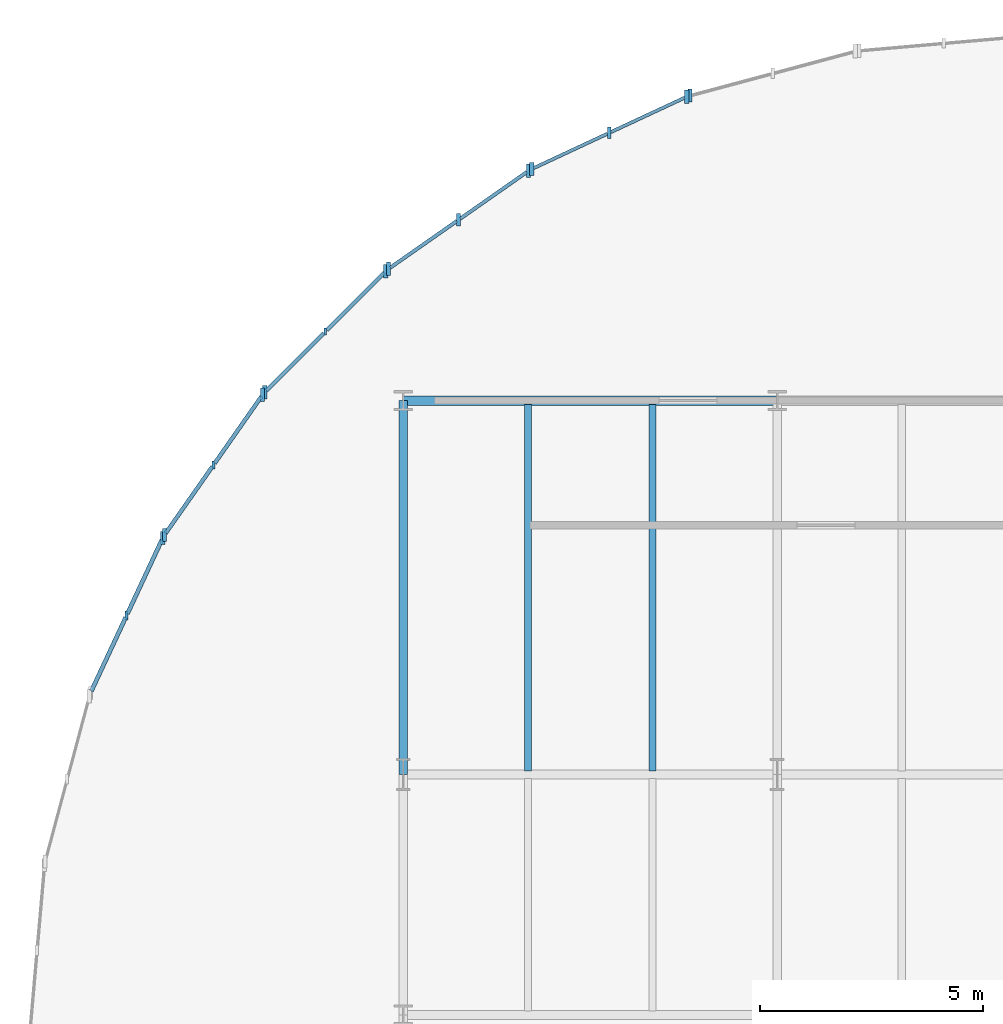
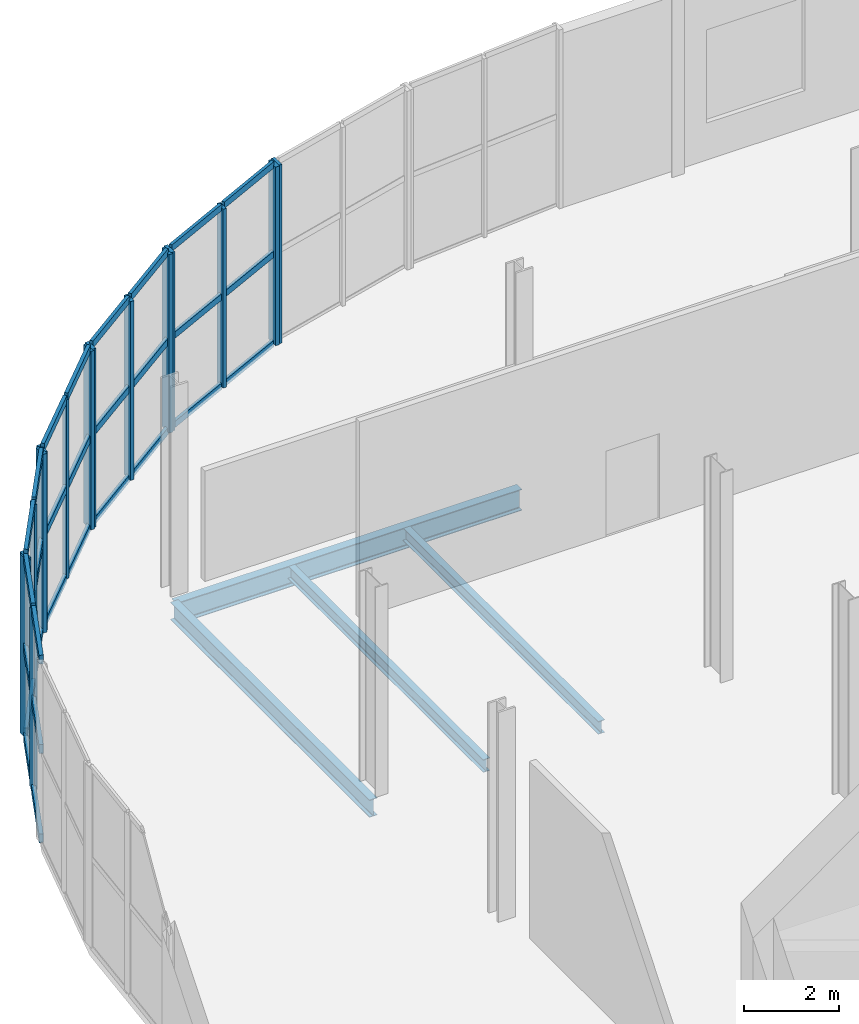
# One storey, part 27 of 78: 45 members, 4 beams, 6 elements without a shape of their own.
"""IFC4 building model written with IfcOpenShell, lengths in metres."""

from ifc_helpers import new_model, si_unit, direction, frame, origin, origin_2d, place, context, subcontext, project, spatial, rectangle, i_section, extrude, material, layer, layer_set, material_profile, profile_set, type_object, element, aggregate, save


model = new_model("IFC4")

# Units and contexts
model_context = context("Model", 3, precision=1e-05, world=origin(), true_north=direction((0.0, 1.0)))
body_context = subcontext(model_context, "Body", "Model", "MODEL_VIEW")
ifc_project = project(units=[si_unit("LENGTHUNIT", "METRE"), si_unit("AREAUNIT", "SQUARE_METRE"), si_unit("VOLUMEUNIT", "CUBIC_METRE"), si_unit("PLANEANGLEUNIT", "RADIAN"), si_unit("MASSUNIT", "GRAM", prefix="KILO")], contexts=[model_context])

# Site, building, storey
site_placement = place(None, origin())
site = spatial("IfcSite", under=ifc_project, at=site_placement, CompositionType="ELEMENT")
building_placement = place(site_placement, origin())
building = spatial("IfcBuilding", under=site, at=building_placement, Name="Sefraquen Railside Congress Hotel", CompositionType="ELEMENT")
storey_placement = place(building_placement, frame((0.0, 0.0, 6.0)))
storey = spatial("IfcBuildingStorey", under=building, at=storey_placement, Name="L01", CompositionType="ELEMENT", Elevation=6.0)

# Beams
ifc_material_1 = material(Name="Steel S355JR", Category="steel")
ifc_material_profile_1 = material_profile(ifc_material_1, i_section(OverallWidth=0.18994140625, OverallDepth=0.449951171875, WebThickness=0.009521484375, FlangeThickness=0.0146484375, FilletRadius=0.02099609375, at=origin_2d()), Name="IPE 450")
ifc_profile_set_1 = profile_set([ifc_material_profile_1], Name="Steel S355JR")
beam_type_1 = type_object("IfcBeamType", Name="TB-BM-450", PredefinedType="BEAM", material=ifc_profile_set_1)
beam_1_placement = place(storey_placement, frame((8.39990234375, 101.39990234375, -0.52490234375), z_axis=(0.0, 1.0, 0.0), x_axis=(-1.0, 0.0, 0.0)))
element("IfcBeam", 1, at=beam_1_placement, inside=storey, type_object=beam_type_1, Name="Floor beam BM-L01-0515", PredefinedType="BEAM", context=body_context, shape_type="SweptSolid", body=[
    extrude(i_section(OverallWidth=0.18994140625, OverallDepth=0.449951171875, WebThickness=0.009521484375, FlangeThickness=0.0146484375, FilletRadius=0.02099609375, at=origin_2d()), origin(), (0.0, 0.0, 1.0), 8.400146484375),
])
ifc_material_profile_2 = material_profile(ifc_material_1, i_section(OverallWidth=0.2099609375, OverallDepth=0.550048828125, WebThickness=0.010986328125, FlangeThickness=0.01708984375, FilletRadius=0.02392578125, at=origin_2d()), Name="IPE 550")
ifc_profile_set_2 = profile_set([ifc_material_profile_2], Name="Steel S355JR")
beam_type_2 = type_object("IfcBeamType", Name="TB-GIR-550", PredefinedType="T_BEAM", material=ifc_profile_set_2)
beam_2_placement = place(storey_placement, frame((8.39990234375, 109.800048828125, -0.574951171875), z_axis=(1.0, 0.0, 0.0), x_axis=(0.0, 1.0, 0.0)))
element("IfcBeam", 2, at=beam_2_placement, inside=storey, type_object=beam_type_2, Name="Primary girder BM-L01-0481", PredefinedType="T_BEAM", context=body_context, shape_type="SweptSolid", body=[
    extrude(i_section(OverallWidth=0.2099609375, OverallDepth=0.550048828125, WebThickness=0.010986328125, FlangeThickness=0.01708984375, FilletRadius=0.02392578125, at=origin_2d()), origin(), (0.0, 0.0, 1.0), 8.400146484375),
])
ifc_material_profile_3 = material_profile(ifc_material_1, i_section(OverallWidth=0.159912109375, OverallDepth=0.330078125, WebThickness=0.007568359375, FlangeThickness=0.011474609375, FilletRadius=0.01806640625, at=origin_2d()), Name="IPE 330")
ifc_profile_set_3 = profile_set([ifc_material_profile_3], Name="Steel S355JR")
beam_type_3 = type_object("IfcBeamType", Name="TB-JST-330", PredefinedType="JOIST", material=ifc_profile_set_3)
for number, where, z_axis, x_axis, name in (
    (3, (11.199951171875, 101.485107421875, -0.465087890625), (0.0, 1.0, 0.0), (-1.0, 0.0, 0.0), "Composite floor joist BM-L01-J0215"),
    (4, (14.0, 101.485107421875, -0.465087890625), (0.0, 1.0, 0.0), (-1.0, 0.0, 0.0), "Composite floor joist BM-L01-J0216"),
):
    element("IfcBeam", number, at=place(storey_placement, frame(where, z_axis=z_axis, x_axis=x_axis)), inside=storey, type_object=beam_type_3, Name=name, PredefinedType="JOIST", context=body_context, shape_type="SweptSolid", body=[
        extrude(i_section(OverallWidth=0.159912109375, OverallDepth=0.330078125, WebThickness=0.007568359375, FlangeThickness=0.011474609375, FilletRadius=0.01806640625, at=origin_2d()), origin(), (0.0, 0.0, 1.0), 8.22998046875),
    ])

# Curtain wall, member
ifc_material_2 = material(Name="Thermally broken anodised aluminium and low-E double glazing", Category="aluminium")
ifc_layer_1 = layer(ifc_material_2, 0.199951171875)
ifc_layer_set_1 = layer_set([ifc_layer_1], Name="Thermally broken anodised aluminium and low-E double glazing")
curtain_wall_type_1 = type_object("IfcCurtainWallType", Name="TCW-UCW-14", PredefinedType="USERDEFINED", material=ifc_layer_set_1)
curtain_wall_1_placement = place(storey_placement, origin())
curtain_wall_1 = element("IfcCurtainWall", 5, at=curtain_wall_1_placement, inside=storey, type_object=curtain_wall_type_1, Name="Rotunda L01 curved curtain wall facet 5", ObjectType="UNITISED CURTAIN WALL", PredefinedType="USERDEFINED")
ifc_material_3 = material(Name="Thermally broken anodised aluminium 6063-T6", Category="aluminium")
ifc_material_profile_4 = material_profile(ifc_material_3, rectangle(XDim=0.06005859375, YDim=0.159912109375, at=origin_2d()), Name="CWM 60x160")
ifc_profile_set_4 = profile_set([ifc_material_profile_4], Name="Thermally broken anodised aluminium 6063-T6")
member_type_1 = type_object("IfcMemberType", Name="TM-CWM-01", PredefinedType="MULLION", material=ifc_profile_set_4)
member_1_placement = place(storey_placement, frame((6.650634765625, 111.349365234375, 0.0), z_axis=(0.0, 0.0, 1.0), x_axis=(1.0, 0.0, 0.0)))
member_1 = element("IfcMember", 6, at=member_1_placement, type_object=member_type_1, Name="CW-L01-ROT-05 mullion 2", PredefinedType="MULLION", context=body_context, shape_type="SweptSolid", body=[
    extrude(rectangle(XDim=0.06005859375, YDim=0.159912109375, at=origin_2d()), origin(), (0.0, 0.0, 1.0), 4.60009765625),
])

ifc_layer_2 = layer(ifc_material_2, 0.199951171875)
ifc_layer_set_2 = layer_set([ifc_layer_2], Name="Thermally broken anodised aluminium and low-E double glazing")
curtain_wall_type_2 = type_object("IfcCurtainWallType", Name="TCW-UCW-15", PredefinedType="USERDEFINED", material=ifc_layer_set_2)
curtain_wall_2_placement = place(storey_placement, origin())
curtain_wall_2 = element("IfcCurtainWall", 7, at=curtain_wall_2_placement, inside=storey, type_object=curtain_wall_type_2, Name="Rotunda L01 curved curtain wall facet 6", ObjectType="UNITISED CURTAIN WALL", PredefinedType="USERDEFINED")
ifc_material_profile_5 = material_profile(ifc_material_3, rectangle(XDim=0.06494140625, YDim=0.179931640625, at=origin_2d()), Name="CWM 65x180")
ifc_profile_set_5 = profile_set([ifc_material_profile_5], Name="Thermally broken anodised aluminium 6063-T6")
member_type_2 = type_object("IfcMemberType", Name="TM-CWM-02", PredefinedType="MULLION", material=ifc_profile_set_5)
member_2_placement = place(storey_placement, frame((4.13916015625, 108.356201171875, 0.0), z_axis=(0.0, 0.0, 1.0), x_axis=(1.0, 0.0, 0.0)))
member_2 = element("IfcMember", 8, at=member_2_placement, type_object=member_type_2, Name="CW-L01-ROT-06 mullion 2", PredefinedType="MULLION", context=body_context, shape_type="SweptSolid", body=[
    extrude(rectangle(XDim=0.06494140625, YDim=0.179931640625, at=origin_2d()), origin(), (0.0, 0.0, 1.0), 4.60009765625),
])

ifc_layer_3 = layer(ifc_material_2, 0.199951171875)
ifc_layer_set_3 = layer_set([ifc_layer_3], Name="Thermally broken anodised aluminium and low-E double glazing")
curtain_wall_type_3 = type_object("IfcCurtainWallType", Name="TCW-UCW-16", PredefinedType="USERDEFINED", material=ifc_layer_set_3)
curtain_wall_3_placement = place(storey_placement, origin())
curtain_wall_3 = element("IfcCurtainWall", 9, at=curtain_wall_3_placement, inside=storey, type_object=curtain_wall_type_3, Name="Rotunda L01 curved curtain wall facet 7", ObjectType="UNITISED CURTAIN WALL", PredefinedType="USERDEFINED")
ifc_material_profile_6 = material_profile(ifc_material_3, rectangle(XDim=0.070068359375, YDim=0.199951171875, at=origin_2d()), Name="CWM 70x200")
ifc_profile_set_6 = profile_set([ifc_material_profile_6], Name="Thermally broken anodised aluminium 6063-T6")
member_type_3 = type_object("IfcMemberType", Name="TM-CWM-03", PredefinedType="MULLION", material=ifc_profile_set_6)
member_3_placement = place(storey_placement, frame((2.185546875, 104.972900390625, 0.0), z_axis=(0.0, 0.0, 1.0), x_axis=(1.0, 0.0, 0.0)))
member_3 = element("IfcMember", 10, at=member_3_placement, type_object=member_type_3, Name="CW-L01-ROT-07 mullion 2", PredefinedType="MULLION", context=body_context, shape_type="SweptSolid", body=[
    extrude(rectangle(XDim=0.070068359375, YDim=0.199951171875, at=origin_2d()), origin(), (0.0, 0.0, 1.0), 4.60009765625),
])

ifc_layer_4 = layer(ifc_material_2, 0.199951171875)
ifc_layer_set_4 = layer_set([ifc_layer_4], Name="Thermally broken anodised aluminium and low-E double glazing")
curtain_wall_type_4 = type_object("IfcCurtainWallType", Name="TCW-UCW-12", PredefinedType="USERDEFINED", material=ifc_layer_set_4)
curtain_wall_4_placement = place(storey_placement, origin())
curtain_wall_4 = element("IfcCurtainWall", 11, at=curtain_wall_4_placement, inside=storey, type_object=curtain_wall_type_4, Name="Rotunda L01 curved curtain wall facet 3", ObjectType="UNITISED CURTAIN WALL", PredefinedType="USERDEFINED")
ifc_material_profile_7 = material_profile(ifc_material_3, rectangle(XDim=0.0849609375, YDim=0.260009765625, at=origin_2d()), Name="CWM 85x260")
ifc_profile_set_7 = profile_set([ifc_material_profile_7], Name="Thermally broken anodised aluminium 6063-T6")
member_type_4 = type_object("IfcMemberType", Name="TM-CWM-06", PredefinedType="MULLION", material=ifc_profile_set_7)
member_4_placement = place(storey_placement, frame((13.02734375, 115.814208984375, 0.0), z_axis=(0.0, 0.0, 1.0), x_axis=(1.0, 0.0, 0.0)))
member_4 = element("IfcMember", 12, at=member_4_placement, type_object=member_type_4, Name="CW-L01-ROT-03 mullion 2", PredefinedType="MULLION", context=body_context, shape_type="SweptSolid", body=[
    extrude(rectangle(XDim=0.0849609375, YDim=0.260009765625, at=origin_2d()), origin(), (0.0, 0.0, 1.0), 4.60009765625),
])

ifc_layer_5 = layer(ifc_material_2, 0.199951171875)
ifc_layer_set_5 = layer_set([ifc_layer_5], Name="Thermally broken anodised aluminium and low-E double glazing")
curtain_wall_type_5 = type_object("IfcCurtainWallType", Name="TCW-UCW-13", PredefinedType="USERDEFINED", material=ifc_layer_set_5)
curtain_wall_5_placement = place(storey_placement, origin())
curtain_wall_5 = element("IfcCurtainWall", 13, at=curtain_wall_5_placement, inside=storey, type_object=curtain_wall_type_5, Name="Rotunda L01 curved curtain wall facet 4", ObjectType="UNITISED CURTAIN WALL", PredefinedType="USERDEFINED")
ifc_material_profile_8 = material_profile(ifc_material_3, rectangle(XDim=0.090087890625, YDim=0.280029296875, at=origin_2d()), Name="CWM 90x280")
ifc_profile_set_8 = profile_set([ifc_material_profile_8], Name="Thermally broken anodised aluminium 6063-T6")
member_type_5 = type_object("IfcMemberType", Name="TM-CWM-07", PredefinedType="MULLION", material=ifc_profile_set_8)
member_5_placement = place(storey_placement, frame((9.643798828125, 113.86083984375, 0.0), z_axis=(0.0, 0.0, 1.0), x_axis=(1.0, 0.0, 0.0)))
member_5 = element("IfcMember", 14, at=member_5_placement, type_object=member_type_5, Name="CW-L01-ROT-04 mullion 2", PredefinedType="MULLION", context=body_context, shape_type="SweptSolid", body=[
    extrude(rectangle(XDim=0.090087890625, YDim=0.280029296875, at=origin_2d()), origin(), (0.0, 0.0, 1.0), 4.60009765625),
])

ifc_layer_6 = layer(ifc_material_2, 0.199951171875)
ifc_layer_set_6 = layer_set([ifc_layer_6], Name="Thermally broken anodised aluminium and low-E double glazing")
curtain_wall_type_6 = type_object("IfcCurtainWallType", Name="TCW-UCW-11", PredefinedType="USERDEFINED", material=ifc_layer_set_6)
curtain_wall_6_placement = place(storey_placement, origin())
curtain_wall_6 = element("IfcCurtainWall", 15, at=curtain_wall_6_placement, inside=storey, type_object=curtain_wall_type_6, Name="Rotunda L01 curved curtain wall facet 2", ObjectType="UNITISED CURTAIN WALL", PredefinedType="USERDEFINED")
ifc_material_profile_9 = material_profile(ifc_material_3, rectangle(XDim=0.094970703125, YDim=0.300048828125, at=origin_2d()), Name="CWM 95x300")
ifc_profile_set_9 = profile_set([ifc_material_profile_9], Name="Thermally broken anodised aluminium 6063-T6")
member_type_6 = type_object("IfcMemberType", Name="TM-CWM-08", PredefinedType="MULLION", material=ifc_profile_set_9)
member_6_placement = place(storey_placement, frame((14.843017578125, 116.653564453125, 0.0), z_axis=(0.0, 0.0, 1.0), x_axis=(1.0, 0.0, 0.0)))
member_6 = element("IfcMember", 16, at=member_6_placement, type_object=member_type_6, Name="CW-L01-ROT-02 mullion 3", PredefinedType="MULLION", context=body_context, shape_type="SweptSolid", body=[
    extrude(rectangle(XDim=0.094970703125, YDim=0.300048828125, at=origin_2d()), origin(), (0.0, 0.0, 1.0), 4.60009765625),
])
aggregate(curtain_wall_6, [member_6])

# Member
member_7_placement = place(storey_placement, frame((14.768310546875, 116.626220703125, 0.0), z_axis=(0.0, 0.0, 1.0), x_axis=(1.0, 0.0, 0.0)))
member_7 = element("IfcMember", 17, at=member_7_placement, type_object=member_type_6, Name="CW-L01-ROT-03 mullion 1", PredefinedType="MULLION", context=body_context, shape_type="SweptSolid", body=[
    extrude(rectangle(XDim=0.094970703125, YDim=0.300048828125, at=origin_2d()), origin(), (0.0, 0.0, 1.0), 4.60009765625),
])

member_8_placement = place(storey_placement, frame((11.286376953125, 115.00244140625, 0.0), z_axis=(0.0, 0.0, 1.0), x_axis=(1.0, 0.0, 0.0)))
member_8 = element("IfcMember", 18, at=member_8_placement, type_object=member_type_6, Name="CW-L01-ROT-03 mullion 3", PredefinedType="MULLION", context=body_context, shape_type="SweptSolid", body=[
    extrude(rectangle(XDim=0.094970703125, YDim=0.300048828125, at=origin_2d()), origin(), (0.0, 0.0, 1.0), 4.60009765625),
])

member_9_placement = place(storey_placement, frame((11.21728515625, 114.962646484375, 0.0), z_axis=(0.0, 0.0, 1.0), x_axis=(1.0, 0.0, 0.0)))
member_9 = element("IfcMember", 19, at=member_9_placement, type_object=member_type_6, Name="CW-L01-ROT-04 mullion 1", PredefinedType="MULLION", context=body_context, shape_type="SweptSolid", body=[
    extrude(rectangle(XDim=0.094970703125, YDim=0.300048828125, at=origin_2d()), origin(), (0.0, 0.0, 1.0), 4.60009765625),
])

member_10_placement = place(storey_placement, frame((8.070068359375, 112.7587890625, 0.0), z_axis=(0.0, 0.0, 1.0), x_axis=(1.0, 0.0, 0.0)))
member_10 = element("IfcMember", 20, at=member_10_placement, type_object=member_type_6, Name="CW-L01-ROT-04 mullion 3", PredefinedType="MULLION", context=body_context, shape_type="SweptSolid", body=[
    extrude(rectangle(XDim=0.094970703125, YDim=0.300048828125, at=origin_2d()), origin(), (0.0, 0.0, 1.0), 4.60009765625),
])

member_11_placement = place(storey_placement, frame((8.009033203125, 112.707763671875, 0.0), z_axis=(0.0, 0.0, 1.0), x_axis=(1.0, 0.0, 0.0)))
member_11 = element("IfcMember", 21, at=member_11_placement, type_object=member_type_6, Name="CW-L01-ROT-05 mullion 1", PredefinedType="MULLION", context=body_context, shape_type="SweptSolid", body=[
    extrude(rectangle(XDim=0.094970703125, YDim=0.300048828125, at=origin_2d()), origin(), (0.0, 0.0, 1.0), 4.60009765625),
])

member_12_placement = place(storey_placement, frame((5.292236328125, 109.990966796875, 0.0), z_axis=(0.0, 0.0, 1.0), x_axis=(1.0, 0.0, 0.0)))
member_12 = element("IfcMember", 22, at=member_12_placement, type_object=member_type_6, Name="CW-L01-ROT-05 mullion 3", PredefinedType="MULLION", context=body_context, shape_type="SweptSolid", body=[
    extrude(rectangle(XDim=0.094970703125, YDim=0.300048828125, at=origin_2d()), origin(), (0.0, 0.0, 1.0), 4.60009765625),
])

member_13_placement = place(storey_placement, frame((5.2412109375, 109.929931640625, 0.0), z_axis=(0.0, 0.0, 1.0), x_axis=(1.0, 0.0, 0.0)))
member_13 = element("IfcMember", 23, at=member_13_placement, type_object=member_type_6, Name="CW-L01-ROT-06 mullion 1", PredefinedType="MULLION", context=body_context, shape_type="SweptSolid", body=[
    extrude(rectangle(XDim=0.094970703125, YDim=0.300048828125, at=origin_2d()), origin(), (0.0, 0.0, 1.0), 4.60009765625),
])

member_14_placement = place(storey_placement, frame((3.037353515625, 106.78271484375, 0.0), z_axis=(0.0, 0.0, 1.0), x_axis=(1.0, 0.0, 0.0)))
member_14 = element("IfcMember", 24, at=member_14_placement, type_object=member_type_6, Name="CW-L01-ROT-06 mullion 3", PredefinedType="MULLION", context=body_context, shape_type="SweptSolid", body=[
    extrude(rectangle(XDim=0.094970703125, YDim=0.300048828125, at=origin_2d()), origin(), (0.0, 0.0, 1.0), 4.60009765625),
])

member_15_placement = place(storey_placement, frame((2.99755859375, 106.713623046875, 0.0), z_axis=(0.0, 0.0, 1.0), x_axis=(1.0, 0.0, 0.0)))
member_15 = element("IfcMember", 25, at=member_15_placement, type_object=member_type_6, Name="CW-L01-ROT-07 mullion 1", PredefinedType="MULLION", context=body_context, shape_type="SweptSolid", body=[
    extrude(rectangle(XDim=0.094970703125, YDim=0.300048828125, at=origin_2d()), origin(), (0.0, 0.0, 1.0), 4.60009765625),
])

ifc_material_profile_10 = material_profile(ifc_material_3, rectangle(XDim=0.074951171875, YDim=0.1650390625, at=origin_2d()), Name="CWT 75x165")
ifc_profile_set_10 = profile_set([ifc_material_profile_10], Name="Thermally broken anodised aluminium 6063-T6")
member_type_7 = type_object("IfcMemberType", Name="TM-CWT-04", PredefinedType="USERDEFINED", material=ifc_profile_set_10)
member_16_placement = place(storey_placement, frame((14.727294921875, 116.607177734375, 0.0), z_axis=(-0.906309158253, -0.422615321145, 0.0), x_axis=(0.422615321145, -0.906309158253, 0.0)))
member_16 = element("IfcMember", 26, at=member_16_placement, type_object=member_type_7, Name="CW-L01-ROT-03 transom 1.1", ObjectType="TRANSOM", PredefinedType="USERDEFINED", context=body_context, shape_type="SweptSolid", body=[
    extrude(rectangle(XDim=0.074951171875, YDim=0.1650390625, at=origin_2d()), origin(), (0.0, 0.0, 1.0), 1.830810546875),
])

member_17_placement = place(storey_placement, frame((12.986572265625, 115.79541015625, 0.0), z_axis=(-0.906281900386, -0.422673771403, 0.0), x_axis=(0.422673771403, -0.906281900386, 0.0)))
member_17 = element("IfcMember", 27, at=member_17_placement, type_object=member_type_7, Name="CW-L01-ROT-03 transom 1.2", ObjectType="TRANSOM", PredefinedType="USERDEFINED", context=body_context, shape_type="SweptSolid", body=[
    extrude(rectangle(XDim=0.074951171875, YDim=0.1650390625, at=origin_2d()), origin(), (0.0, 0.0, 1.0), 1.8310546875),
])

member_18_placement = place(storey_placement, frame((14.727294921875, 116.607177734375, 2.300048828125), z_axis=(-0.906309158253, -0.422615321145, 0.0), x_axis=(0.422615321145, -0.906309158253, 0.0)))
member_18 = element("IfcMember", 28, at=member_18_placement, type_object=member_type_7, Name="CW-L01-ROT-03 transom 2.1", ObjectType="TRANSOM", PredefinedType="USERDEFINED", context=body_context, shape_type="SweptSolid", body=[
    extrude(rectangle(XDim=0.074951171875, YDim=0.1650390625, at=origin_2d()), origin(), (0.0, 0.0, 1.0), 1.830810546875),
])

member_19_placement = place(storey_placement, frame((12.986572265625, 115.79541015625, 2.300048828125), z_axis=(-0.906281900386, -0.422673771403, 0.0), x_axis=(0.422673771403, -0.906281900386, 0.0)))
member_19 = element("IfcMember", 29, at=member_19_placement, type_object=member_type_7, Name="CW-L01-ROT-03 transom 2.2", ObjectType="TRANSOM", PredefinedType="USERDEFINED", context=body_context, shape_type="SweptSolid", body=[
    extrude(rectangle(XDim=0.074951171875, YDim=0.1650390625, at=origin_2d()), origin(), (0.0, 0.0, 1.0), 1.8310546875),
])

member_20_placement = place(storey_placement, frame((14.727294921875, 116.607177734375, 4.60009765625), z_axis=(-0.906309158253, -0.422615321145, 0.0), x_axis=(0.422615321145, -0.906309158253, 0.0)))
member_20 = element("IfcMember", 30, at=member_20_placement, type_object=member_type_7, Name="CW-L01-ROT-03 transom 3.1", ObjectType="TRANSOM", PredefinedType="USERDEFINED", context=body_context, shape_type="SweptSolid", body=[
    extrude(rectangle(XDim=0.074951171875, YDim=0.1650390625, at=origin_2d()), origin(), (0.0, 0.0, 1.0), 1.830810546875),
])

member_21_placement = place(storey_placement, frame((12.986572265625, 115.79541015625, 4.60009765625), z_axis=(-0.906281900386, -0.422673771403, 0.0), x_axis=(0.422673771403, -0.906281900386, 0.0)))
member_21 = element("IfcMember", 31, at=member_21_placement, type_object=member_type_7, Name="CW-L01-ROT-03 transom 3.2", ObjectType="TRANSOM", PredefinedType="USERDEFINED", context=body_context, shape_type="SweptSolid", body=[
    extrude(rectangle(XDim=0.074951171875, YDim=0.1650390625, at=origin_2d()), origin(), (0.0, 0.0, 1.0), 1.8310546875),
])

aggregate(curtain_wall_4, [member_7, member_4, member_8, member_16, member_17, member_18, member_19, member_20, member_21])

ifc_material_profile_11 = material_profile(ifc_material_3, rectangle(XDim=0.080078125, YDim=0.179931640625, at=origin_2d()), Name="CWT 80x180")
ifc_profile_set_11 = profile_set([ifc_material_profile_11], Name="Thermally broken anodised aluminium 6063-T6")
member_type_8 = type_object("IfcMemberType", Name="TM-CWT-05", PredefinedType="USERDEFINED", material=ifc_profile_set_11)
member_22_placement = place(storey_placement, frame((11.180419921875, 114.93701171875, 0.0), z_axis=(-0.819156749665, -0.573569716318, 0.0), x_axis=(0.573569716318, -0.819156749665, 0.0)))
member_22 = element("IfcMember", 32, at=member_22_placement, type_object=member_type_8, Name="CW-L01-ROT-04 transom 1.1", ObjectType="TRANSOM", PredefinedType="USERDEFINED", context=body_context, shape_type="SweptSolid", body=[
    extrude(rectangle(XDim=0.080078125, YDim=0.179931640625, at=origin_2d()), origin(), (0.0, 0.0, 1.0), 1.8310546875),
])

member_23_placement = place(storey_placement, frame((9.606689453125, 113.8349609375, 0.0), z_axis=(-0.819175533227, -0.573542889209, 0.0), x_axis=(0.573542889209, -0.819175533227, 0.0)))
member_23 = element("IfcMember", 33, at=member_23_placement, type_object=member_type_8, Name="CW-L01-ROT-04 transom 1.2", ObjectType="TRANSOM", PredefinedType="USERDEFINED", context=body_context, shape_type="SweptSolid", body=[
    extrude(rectangle(XDim=0.080078125, YDim=0.179931640625, at=origin_2d()), origin(), (0.0, 0.0, 1.0), 1.830810546875),
])

member_24_placement = place(storey_placement, frame((11.180419921875, 114.93701171875, 2.300048828125), z_axis=(-0.819156749665, -0.573569716318, 0.0), x_axis=(0.573569716318, -0.819156749665, 0.0)))
member_24 = element("IfcMember", 34, at=member_24_placement, type_object=member_type_8, Name="CW-L01-ROT-04 transom 2.1", ObjectType="TRANSOM", PredefinedType="USERDEFINED", context=body_context, shape_type="SweptSolid", body=[
    extrude(rectangle(XDim=0.080078125, YDim=0.179931640625, at=origin_2d()), origin(), (0.0, 0.0, 1.0), 1.8310546875),
])

member_25_placement = place(storey_placement, frame((9.606689453125, 113.8349609375, 2.300048828125), z_axis=(-0.819175533227, -0.573542889209, 0.0), x_axis=(0.573542889209, -0.819175533227, 0.0)))
member_25 = element("IfcMember", 35, at=member_25_placement, type_object=member_type_8, Name="CW-L01-ROT-04 transom 2.2", ObjectType="TRANSOM", PredefinedType="USERDEFINED", context=body_context, shape_type="SweptSolid", body=[
    extrude(rectangle(XDim=0.080078125, YDim=0.179931640625, at=origin_2d()), origin(), (0.0, 0.0, 1.0), 1.830810546875),
])

member_26_placement = place(storey_placement, frame((11.180419921875, 114.93701171875, 4.60009765625), z_axis=(-0.819156749665, -0.573569716318, 0.0), x_axis=(0.573569716318, -0.819156749665, 0.0)))
member_26 = element("IfcMember", 36, at=member_26_placement, type_object=member_type_8, Name="CW-L01-ROT-04 transom 3.1", ObjectType="TRANSOM", PredefinedType="USERDEFINED", context=body_context, shape_type="SweptSolid", body=[
    extrude(rectangle(XDim=0.080078125, YDim=0.179931640625, at=origin_2d()), origin(), (0.0, 0.0, 1.0), 1.8310546875),
])

member_27_placement = place(storey_placement, frame((9.606689453125, 113.8349609375, 4.60009765625), z_axis=(-0.819175533227, -0.573542889209, 0.0), x_axis=(0.573542889209, -0.819175533227, 0.0)))
member_27 = element("IfcMember", 37, at=member_27_placement, type_object=member_type_8, Name="CW-L01-ROT-04 transom 3.2", ObjectType="TRANSOM", PredefinedType="USERDEFINED", context=body_context, shape_type="SweptSolid", body=[
    extrude(rectangle(XDim=0.080078125, YDim=0.179931640625, at=origin_2d()), origin(), (0.0, 0.0, 1.0), 1.830810546875),
])

aggregate(curtain_wall_5, [member_9, member_5, member_10, member_22, member_23, member_24, member_25, member_26, member_27])

ifc_material_profile_12 = material_profile(ifc_material_3, rectangle(XDim=0.0849609375, YDim=0.195068359375, at=origin_2d()), Name="CWT 85x195")
ifc_profile_set_12 = profile_set([ifc_material_profile_12], Name="Thermally broken anodised aluminium 6063-T6")
member_type_9 = type_object("IfcMemberType", Name="TM-CWT-06", PredefinedType="USERDEFINED", material=ifc_profile_set_12)
member_28_placement = place(storey_placement, frame((7.977294921875, 112.67578125, 0.0), z_axis=(-0.707106781187, -0.707106781187, 0.0), x_axis=(0.707106781187, -0.707106781187, 0.0)))
member_28 = element("IfcMember", 38, at=member_28_placement, type_object=member_type_9, Name="CW-L01-ROT-05 transom 1.1", ObjectType="TRANSOM", PredefinedType="USERDEFINED", context=body_context, shape_type="SweptSolid", body=[
    extrude(rectangle(XDim=0.0849609375, YDim=0.195068359375, at=origin_2d()), origin(), (0.0, 0.0, 1.0), 1.8310546875),
])

member_29_placement = place(storey_placement, frame((6.618896484375, 111.3173828125, 0.0), z_axis=(-0.707106781187, -0.707106781187, 0.0), x_axis=(0.707106781187, -0.707106781187, 0.0)))
member_29 = element("IfcMember", 39, at=member_29_placement, type_object=member_type_9, Name="CW-L01-ROT-05 transom 1.2", ObjectType="TRANSOM", PredefinedType="USERDEFINED", context=body_context, shape_type="SweptSolid", body=[
    extrude(rectangle(XDim=0.0849609375, YDim=0.195068359375, at=origin_2d()), origin(), (0.0, 0.0, 1.0), 1.8310546875),
])

member_30_placement = place(storey_placement, frame((7.977294921875, 112.67578125, 2.300048828125), z_axis=(-0.707106781187, -0.707106781187, 0.0), x_axis=(0.707106781187, -0.707106781187, 0.0)))
member_30 = element("IfcMember", 40, at=member_30_placement, type_object=member_type_9, Name="CW-L01-ROT-05 transom 2.1", ObjectType="TRANSOM", PredefinedType="USERDEFINED", context=body_context, shape_type="SweptSolid", body=[
    extrude(rectangle(XDim=0.0849609375, YDim=0.195068359375, at=origin_2d()), origin(), (0.0, 0.0, 1.0), 1.8310546875),
])

member_31_placement = place(storey_placement, frame((6.618896484375, 111.3173828125, 2.300048828125), z_axis=(-0.707106781187, -0.707106781187, 0.0), x_axis=(0.707106781187, -0.707106781187, 0.0)))
member_31 = element("IfcMember", 41, at=member_31_placement, type_object=member_type_9, Name="CW-L01-ROT-05 transom 2.2", ObjectType="TRANSOM", PredefinedType="USERDEFINED", context=body_context, shape_type="SweptSolid", body=[
    extrude(rectangle(XDim=0.0849609375, YDim=0.195068359375, at=origin_2d()), origin(), (0.0, 0.0, 1.0), 1.8310546875),
])

member_32_placement = place(storey_placement, frame((7.977294921875, 112.67578125, 4.60009765625), z_axis=(-0.707106781187, -0.707106781187, 0.0), x_axis=(0.707106781187, -0.707106781187, 0.0)))
member_32 = element("IfcMember", 42, at=member_32_placement, type_object=member_type_9, Name="CW-L01-ROT-05 transom 3.1", ObjectType="TRANSOM", PredefinedType="USERDEFINED", context=body_context, shape_type="SweptSolid", body=[
    extrude(rectangle(XDim=0.0849609375, YDim=0.195068359375, at=origin_2d()), origin(), (0.0, 0.0, 1.0), 1.8310546875),
])

member_33_placement = place(storey_placement, frame((6.618896484375, 111.3173828125, 4.60009765625), z_axis=(-0.707106781187, -0.707106781187, 0.0), x_axis=(0.707106781187, -0.707106781187, 0.0)))
member_33 = element("IfcMember", 43, at=member_33_placement, type_object=member_type_9, Name="CW-L01-ROT-05 transom 3.2", ObjectType="TRANSOM", PredefinedType="USERDEFINED", context=body_context, shape_type="SweptSolid", body=[
    extrude(rectangle(XDim=0.0849609375, YDim=0.195068359375, at=origin_2d()), origin(), (0.0, 0.0, 1.0), 1.8310546875),
])

aggregate(curtain_wall_1, [member_11, member_1, member_12, member_28, member_29, member_30, member_31, member_32, member_33])

ifc_material_profile_13 = material_profile(ifc_material_3, rectangle(XDim=0.090087890625, YDim=0.2099609375, at=origin_2d()), Name="CWT 90x210")
ifc_profile_set_13 = profile_set([ifc_material_profile_13], Name="Thermally broken anodised aluminium 6063-T6")
member_type_10 = type_object("IfcMemberType", Name="TM-CWT-07", PredefinedType="USERDEFINED", material=ifc_profile_set_13)
member_34_placement = place(storey_placement, frame((5.21533203125, 109.89306640625, 0.0), z_axis=(-0.573632363976, -0.819112880499, 0.0), x_axis=(0.819112880499, -0.573632363976, 0.0)))
member_34 = element("IfcMember", 44, at=member_34_placement, type_object=member_type_10, Name="CW-L01-ROT-06 transom 1.1", ObjectType="TRANSOM", PredefinedType="USERDEFINED", context=body_context, shape_type="SweptSolid", body=[
    extrude(rectangle(XDim=0.090087890625, YDim=0.2099609375, at=origin_2d()), origin(), (0.0, 0.0, 1.0), 1.8310546875),
])

member_35_placement = place(storey_placement, frame((4.11328125, 108.319580078125, 0.0), z_axis=(-0.573480241742, -0.819219392063, 0.0), x_axis=(0.819219392063, -0.573480241742, 0.0)))
member_35 = element("IfcMember", 45, at=member_35_placement, type_object=member_type_10, Name="CW-L01-ROT-06 transom 1.2", ObjectType="TRANSOM", PredefinedType="USERDEFINED", context=body_context, shape_type="SweptSolid", body=[
    extrude(rectangle(XDim=0.090087890625, YDim=0.2099609375, at=origin_2d()), origin(), (0.0, 0.0, 1.0), 1.8310546875),
])

member_36_placement = place(storey_placement, frame((5.21533203125, 109.89306640625, 2.300048828125), z_axis=(-0.573632363976, -0.819112880499, 0.0), x_axis=(0.819112880499, -0.573632363976, 0.0)))
member_36 = element("IfcMember", 46, at=member_36_placement, type_object=member_type_10, Name="CW-L01-ROT-06 transom 2.1", ObjectType="TRANSOM", PredefinedType="USERDEFINED", context=body_context, shape_type="SweptSolid", body=[
    extrude(rectangle(XDim=0.090087890625, YDim=0.2099609375, at=origin_2d()), origin(), (0.0, 0.0, 1.0), 1.8310546875),
])

member_37_placement = place(storey_placement, frame((4.11328125, 108.319580078125, 2.300048828125), z_axis=(-0.573480241742, -0.819219392063, 0.0), x_axis=(0.819219392063, -0.573480241742, 0.0)))
member_37 = element("IfcMember", 47, at=member_37_placement, type_object=member_type_10, Name="CW-L01-ROT-06 transom 2.2", ObjectType="TRANSOM", PredefinedType="USERDEFINED", context=body_context, shape_type="SweptSolid", body=[
    extrude(rectangle(XDim=0.090087890625, YDim=0.2099609375, at=origin_2d()), origin(), (0.0, 0.0, 1.0), 1.8310546875),
])

member_38_placement = place(storey_placement, frame((5.21533203125, 109.89306640625, 4.60009765625), z_axis=(-0.573632363976, -0.819112880499, 0.0), x_axis=(0.819112880499, -0.573632363976, 0.0)))
member_38 = element("IfcMember", 48, at=member_38_placement, type_object=member_type_10, Name="CW-L01-ROT-06 transom 3.1", ObjectType="TRANSOM", PredefinedType="USERDEFINED", context=body_context, shape_type="SweptSolid", body=[
    extrude(rectangle(XDim=0.090087890625, YDim=0.2099609375, at=origin_2d()), origin(), (0.0, 0.0, 1.0), 1.8310546875),
])

member_39_placement = place(storey_placement, frame((4.11328125, 108.319580078125, 4.60009765625), z_axis=(-0.573480241742, -0.819219392063, 0.0), x_axis=(0.819219392063, -0.573480241742, 0.0)))
member_39 = element("IfcMember", 49, at=member_39_placement, type_object=member_type_10, Name="CW-L01-ROT-06 transom 3.2", ObjectType="TRANSOM", PredefinedType="USERDEFINED", context=body_context, shape_type="SweptSolid", body=[
    extrude(rectangle(XDim=0.090087890625, YDim=0.2099609375, at=origin_2d()), origin(), (0.0, 0.0, 1.0), 1.8310546875),
])

aggregate(curtain_wall_2, [member_13, member_2, member_14, member_34, member_35, member_36, member_37, member_38, member_39])

ifc_material_profile_14 = material_profile(ifc_material_3, rectangle(XDim=0.094970703125, YDim=0.22509765625, at=origin_2d()), Name="CWT 95x225")
ifc_profile_set_14 = profile_set([ifc_material_profile_14], Name="Thermally broken anodised aluminium 6063-T6")
member_type_11 = type_object("IfcMemberType", Name="TM-CWT-08", PredefinedType="USERDEFINED", material=ifc_profile_set_14)
member_40_placement = place(storey_placement, frame((2.978515625, 106.6728515625, 0.0), z_axis=(-0.422673771403, -0.906281900386, 0.0), x_axis=(0.906281900386, -0.422673771403, 0.0)))
member_40 = element("IfcMember", 50, at=member_40_placement, type_object=member_type_11, Name="CW-L01-ROT-07 transom 1.1", ObjectType="TRANSOM", PredefinedType="USERDEFINED", context=body_context, shape_type="SweptSolid", body=[
    extrude(rectangle(XDim=0.094970703125, YDim=0.22509765625, at=origin_2d()), origin(), (0.0, 0.0, 1.0), 1.8310546875),
])

member_41_placement = place(storey_placement, frame((2.166748046875, 104.931884765625, 0.0), z_axis=(-0.422724852641, -0.906258075252, 0.0), x_axis=(0.906258075252, -0.422724852641, 0.0)))
member_41 = element("IfcMember", 51, at=member_41_placement, type_object=member_type_11, Name="CW-L01-ROT-07 transom 1.2", ObjectType="TRANSOM", PredefinedType="USERDEFINED", context=body_context, shape_type="SweptSolid", body=[
    extrude(rectangle(XDim=0.094970703125, YDim=0.22509765625, at=origin_2d()), origin(), (0.0, 0.0, 1.0), 1.830810546875),
])

member_42_placement = place(storey_placement, frame((2.978515625, 106.6728515625, 2.300048828125), z_axis=(-0.422673771403, -0.906281900386, 0.0), x_axis=(0.906281900386, -0.422673771403, 0.0)))
member_42 = element("IfcMember", 52, at=member_42_placement, type_object=member_type_11, Name="CW-L01-ROT-07 transom 2.1", ObjectType="TRANSOM", PredefinedType="USERDEFINED", context=body_context, shape_type="SweptSolid", body=[
    extrude(rectangle(XDim=0.094970703125, YDim=0.22509765625, at=origin_2d()), origin(), (0.0, 0.0, 1.0), 1.8310546875),
])

member_43_placement = place(storey_placement, frame((2.166748046875, 104.931884765625, 2.300048828125), z_axis=(-0.422724852641, -0.906258075252, 0.0), x_axis=(0.906258075252, -0.422724852641, 0.0)))
member_43 = element("IfcMember", 53, at=member_43_placement, type_object=member_type_11, Name="CW-L01-ROT-07 transom 2.2", ObjectType="TRANSOM", PredefinedType="USERDEFINED", context=body_context, shape_type="SweptSolid", body=[
    extrude(rectangle(XDim=0.094970703125, YDim=0.22509765625, at=origin_2d()), origin(), (0.0, 0.0, 1.0), 1.830810546875),
])

member_44_placement = place(storey_placement, frame((2.978515625, 106.6728515625, 4.60009765625), z_axis=(-0.422673771403, -0.906281900386, 0.0), x_axis=(0.906281900386, -0.422673771403, 0.0)))
member_44 = element("IfcMember", 54, at=member_44_placement, type_object=member_type_11, Name="CW-L01-ROT-07 transom 3.1", ObjectType="TRANSOM", PredefinedType="USERDEFINED", context=body_context, shape_type="SweptSolid", body=[
    extrude(rectangle(XDim=0.094970703125, YDim=0.22509765625, at=origin_2d()), origin(), (0.0, 0.0, 1.0), 1.8310546875),
])

member_45_placement = place(storey_placement, frame((2.166748046875, 104.931884765625, 4.60009765625), z_axis=(-0.422724852641, -0.906258075252, 0.0), x_axis=(0.906258075252, -0.422724852641, 0.0)))
member_45 = element("IfcMember", 55, at=member_45_placement, type_object=member_type_11, Name="CW-L01-ROT-07 transom 3.2", ObjectType="TRANSOM", PredefinedType="USERDEFINED", context=body_context, shape_type="SweptSolid", body=[
    extrude(rectangle(XDim=0.094970703125, YDim=0.22509765625, at=origin_2d()), origin(), (0.0, 0.0, 1.0), 1.830810546875),
])

aggregate(curtain_wall_3, [member_15, member_3, member_40, member_41, member_42, member_43, member_44, member_45])

save(model, "model.ifc")
